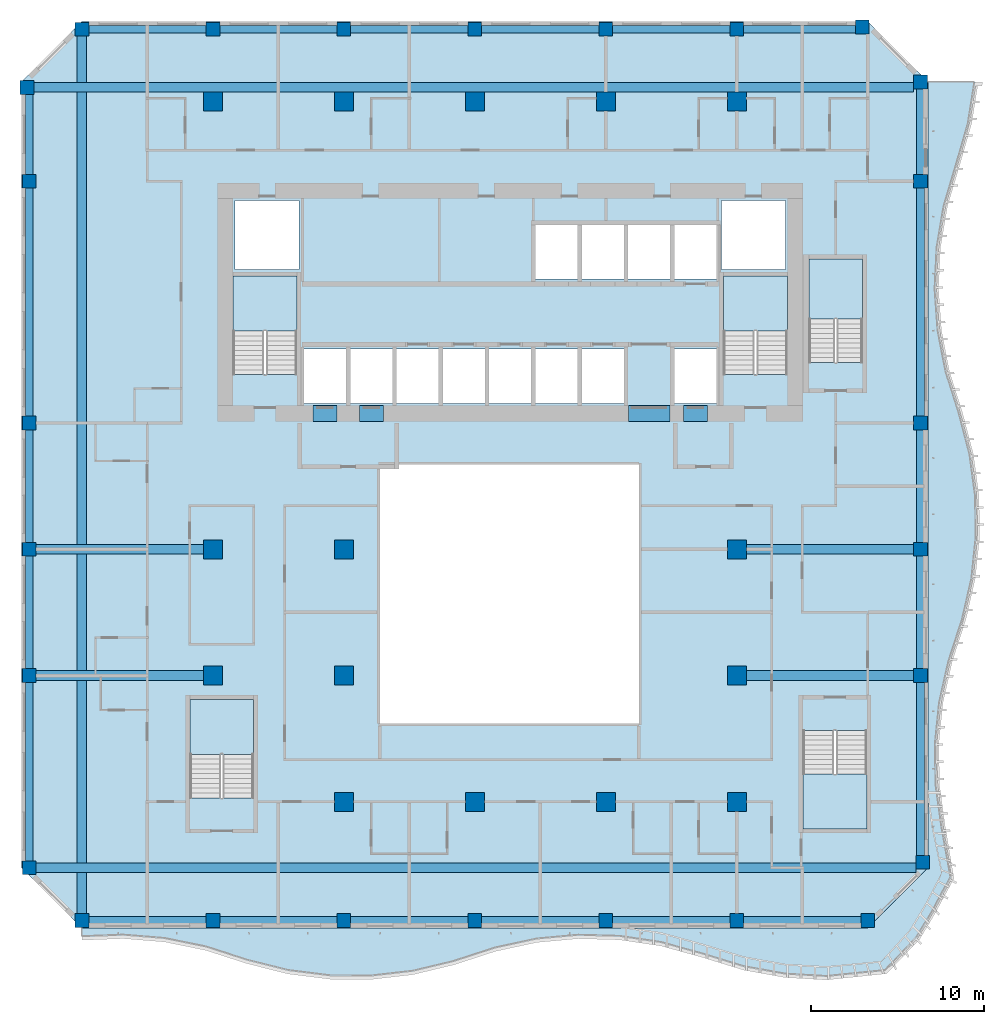
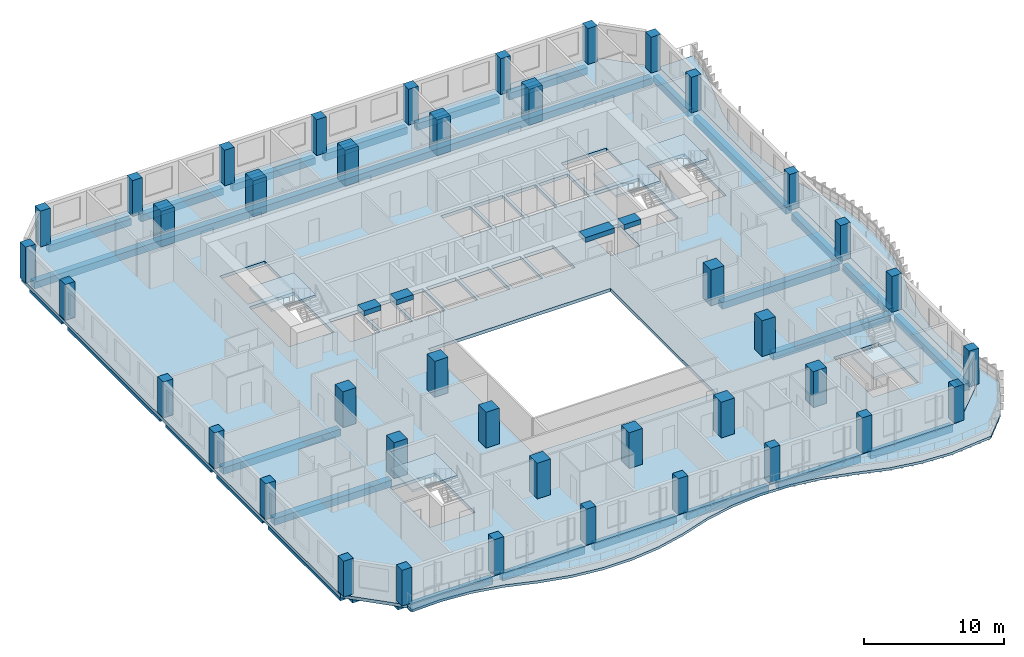
# One storey, part 1 of 20: 41 columns, 33 beams, 7 slabs, 5 elements without a shape of their own.
"""IFC4 building model written with IfcOpenShell, lengths in metres."""

from ifc_helpers import new_model, si_unit, direction, frame, origin, origin_2d, place, context, subcontext, project, spatial, polyline, rectangle, outline, extrude, source, transform, mapped, material, layer, layer_set, material_profile, profile_set, type_object, element, aggregate, save


model = new_model("IFC4")

# Units and contexts
model_context = context("Model", 3, precision=1e-05, world=origin(), true_north=direction((0.0, 1.0)))
body_context = subcontext(model_context, "Body", "Model", "MODEL_VIEW")
ifc_project = project(units=[si_unit("LENGTHUNIT", "METRE"), si_unit("AREAUNIT", "SQUARE_METRE"), si_unit("VOLUMEUNIT", "CUBIC_METRE"), si_unit("PLANEANGLEUNIT", "RADIAN"), si_unit("MASSUNIT", "GRAM", prefix="KILO")], contexts=[model_context])

# Site, building, storey
site_placement = place(None, origin())
site = spatial("IfcSite", under=ifc_project, at=site_placement, CompositionType="ELEMENT")
building_placement = place(site_placement, origin())
building = spatial("IfcBuilding", under=site, at=building_placement, Name="Kilnfold Tower and Market Hall", CompositionType="ELEMENT")
storey_placement = place(building_placement, frame((0.0, 0.0, 157.5)))
storey = spatial("IfcBuildingStorey", under=building, at=storey_placement, Name="L36", CompositionType="ELEMENT", Elevation=157.5)

# Columns
ifc_material_1 = material(Name="Concrete C70", Category="concrete")
ifc_material_profile_1 = material_profile(ifc_material_1, rectangle(XDim=0.800048828125, YDim=0.800048828125, at=origin_2d()), Name="RC 800x800")
ifc_profile_set_1 = profile_set([ifc_material_profile_1], Name="Concrete C70")
column_type_1 = type_object("IfcColumnType", Name="COLUMN 800X800 C70", PredefinedType="COLUMN", material=ifc_profile_set_1)
shared_shape_1 = source(origin(), body_context, "Body", "SweptSolid", [
    extrude(rectangle(XDim=0.800048828125, YDim=0.800048828125, at=origin_2d()), origin(), (0.0, 0.0, 1.0), 3.1201171875),
])
for number, where, z_axis, x_axis, name in (
    (1, (-26.931884765625, 27.431884765625, 0.0), (0.0, 0.0, 1.0), (1.0, 0.0, 0.0), "Column C-B4-1I"),
    (2, (-26.800048828125, -17.75, 0.0), (0.0, 0.0, 1.0), (1.0, 0.0, 0.0), "Column C-B4-1B"),
    (3, (-26.800048828125, -6.625, 0.0), (0.0, 0.0, 1.0), (1.0, 0.0, 0.0), "Column C-B4-1D"),
    (4, (-26.800048828125, 0.6875, 0.0), (0.0, 0.0, 1.0), (1.0, 0.0, 0.0), "Column C-B4-1E"),
    (5, (-26.800048828125, 8.0, 0.0), (0.0, 0.0, 1.0), (1.0, 0.0, 0.0), "Column C-B4-1F"),
    (6, (-26.800048828125, 22.0, 0.0), (0.0, 0.0, 1.0), (1.0, 0.0, 0.0), "Column C-B4-1G"),
    (7, (-23.75, -20.800048828125, 0.0), (0.0, 0.0, 1.0), (1.0, 0.0, 0.0), "Column C-B4-2A"),
    (8, (-23.75, 30.800048828125, 0.0), (0.0, 0.0, 1.0), (1.0, 0.0, 0.0), "Column C-B4-2J"),
    (9, (-16.166748046875, -20.800048828125, 0.0), (0.0, 0.0, 1.0), (1.0, 0.0, 0.0), "Column C-B4-3A"),
    (10, (-16.166748046875, 30.800048828125, 0.0), (0.0, 0.0, 1.0), (1.0, 0.0, 0.0), "Column C-B4-3J"),
    (11, (-8.583251953125, -20.800048828125, 0.0), (0.0, 0.0, 1.0), (1.0, 0.0, 0.0), "Column C-B4-4A"),
    (12, (-8.583251953125, 30.800048828125, 0.0), (0.0, 0.0, 1.0), (1.0, 0.0, 0.0), "Column C-B4-4J"),
    (13, (-1.0, -20.800048828125, 0.0), (0.0, 0.0, 1.0), (1.0, 0.0, 0.0), "Column C-B4-5A"),
    (14, (-1.0, 30.800048828125, 0.0), (0.0, 0.0, 1.0), (1.0, 0.0, 0.0), "Column C-B4-5J"),
    (15, (6.583251953125, -20.800048828125, 0.0), (0.0, 0.0, 1.0), (1.0, 0.0, 0.0), "Column C-B4-6A"),
    (16, (6.583251953125, 30.800048828125, 0.0), (0.0, 0.0, 1.0), (1.0, 0.0, 0.0), "Column C-B4-6J"),
    (17, (14.166748046875, -20.800048828125, 0.0), (0.0, 0.0, 1.0), (1.0, 0.0, 0.0), "Column C-B4-7A"),
    (18, (14.166748046875, 30.800048828125, 0.0), (0.0, 0.0, 1.0), (1.0, 0.0, 0.0), "Column C-B4-7J"),
    (19, (21.431884765625, 30.931884765625, 0.0), (0.0, 0.0, 1.0), (1.0, 0.0, 0.0), "Column C-B4-8J"),
    (20, (21.75, -20.800048828125, 0.0), (0.0, 0.0, 1.0), (1.0, 0.0, 0.0), "Column C-B4-8A"),
    (21, (24.800048828125, -6.625, 0.0), (0.0, 0.0, 1.0), (1.0, 0.0, 0.0), "Column C-B4-9D"),
    (22, (24.800048828125, 0.6875, 0.0), (0.0, 0.0, 1.0), (1.0, 0.0, 0.0), "Column C-B4-9E"),
    (23, (24.800048828125, 8.0, 0.0), (0.0, 0.0, 1.0), (1.0, 0.0, 0.0), "Column C-B4-9F"),
    (24, (24.800048828125, 22.0, 0.0), (0.0, 0.0, 1.0), (1.0, 0.0, 0.0), "Column C-B4-9G"),
    (25, (24.800048828125, 27.75, 0.0), (0.0, 0.0, 1.0), (1.0, 0.0, 0.0), "Column C-B4-9I"),
    (26, (24.931884765625, -17.431884765625, 0.0), (0.0, 0.0, 1.0), (1.0, 0.0, 0.0), "Column C-B4-9B"),
):
    element("IfcColumn", number, at=place(storey_placement, frame(where, z_axis=z_axis, x_axis=x_axis)), inside=storey, type_object=column_type_1, Name=name, PredefinedType="COLUMN", context=body_context, shape_type="MappedRepresentation", body=[
        mapped(shared_shape_1, transform((0.0, 0.0, 0.0))),
    ])
ifc_material_2 = material(Name="Concrete C70", Category="concrete")
ifc_material_profile_2 = material_profile(ifc_material_2, rectangle(XDim=1.10009765625, YDim=1.10009765625, at=origin_2d()), Name="RC 1100x1100")
ifc_profile_set_2 = profile_set([ifc_material_profile_2], Name="Concrete C70")
column_type_2 = type_object("IfcColumnType", Name="COLUMN 1100X1100 C70", PredefinedType="COLUMN", material=ifc_profile_set_2)
shared_shape_2 = source(origin(), body_context, "Body", "SweptSolid", [
    extrude(rectangle(XDim=1.10009765625, YDim=1.10009765625, at=origin_2d()), origin(), (0.0, 0.0, 1.0), 3.1201171875),
])
for number, where, z_axis, x_axis, name in (
    (27, (-16.166748046875, -6.625, 0.0), (0.0, 0.0, 1.0), (1.0, 0.0, 0.0), "Column C-B4-3D"),
    (28, (-16.166748046875, 0.6875, 0.0), (0.0, 0.0, 1.0), (1.0, 0.0, 0.0), "Column C-B4-3E"),
    (29, (-16.166748046875, 26.625, 0.0), (0.0, 0.0, 1.0), (1.0, 0.0, 0.0), "Column C-B4-3H"),
    (30, (-8.583251953125, -13.9375, 0.0), (0.0, 0.0, 1.0), (1.0, 0.0, 0.0), "Column C-B4-4C"),
    (31, (-8.583251953125, -6.625, 0.0), (0.0, 0.0, 1.0), (1.0, 0.0, 0.0), "Column C-B4-4D"),
    (32, (-8.583251953125, 0.6875, 0.0), (0.0, 0.0, 1.0), (1.0, 0.0, 0.0), "Column C-B4-4E"),
    (33, (-8.583251953125, 26.625, 0.0), (0.0, 0.0, 1.0), (1.0, 0.0, 0.0), "Column C-B4-4H"),
    (34, (-1.0, -13.9375, 0.0), (0.0, 0.0, 1.0), (1.0, 0.0, 0.0), "Column C-B4-5C"),
    (35, (-1.0, 26.625, 0.0), (0.0, 0.0, 1.0), (1.0, 0.0, 0.0), "Column C-B4-5H"),
    (36, (6.583251953125, -13.9375, 0.0), (0.0, 0.0, 1.0), (1.0, 0.0, 0.0), "Column C-B4-6C"),
    (37, (6.583251953125, 26.625, 0.0), (0.0, 0.0, 1.0), (1.0, 0.0, 0.0), "Column C-B4-6H"),
    (38, (14.166748046875, -13.9375, 0.0), (0.0, 0.0, 1.0), (1.0, 0.0, 0.0), "Column C-B4-7C"),
    (39, (14.166748046875, -6.625, 0.0), (0.0, 0.0, 1.0), (1.0, 0.0, 0.0), "Column C-B4-7D"),
    (40, (14.166748046875, 0.6875, 0.0), (0.0, 0.0, 1.0), (1.0, 0.0, 0.0), "Column C-B4-7E"),
    (41, (14.166748046875, 26.625, 0.0), (0.0, 0.0, 1.0), (1.0, 0.0, 0.0), "Column C-B4-7H"),
):
    element("IfcColumn", number, at=place(storey_placement, frame(where, z_axis=z_axis, x_axis=x_axis)), inside=storey, type_object=column_type_2, Name=name, PredefinedType="COLUMN", context=body_context, shape_type="MappedRepresentation", body=[
        mapped(shared_shape_2, transform((0.0, 0.0, 0.0))),
    ])

# Beams
ifc_material_3 = material(Name="Concrete C70", Category="concrete")
ifc_material_profile_3 = material_profile(ifc_material_3, rectangle(XDim=0.89990234375, YDim=0.419921875, at=origin_2d()), Name="RC 900x420")
ifc_profile_set_3 = profile_set([ifc_material_profile_3], Name="Concrete C70")
beam_type_1 = type_object("IfcBeamType", Name="COUPLING BEAM 900X420 C70", PredefinedType="BEAM", material=ifc_profile_set_3)
shared_shape_3 = source(origin(), body_context, "Body", "SweptSolid", [
    extrude(rectangle(XDim=0.89990234375, YDim=0.419921875, at=origin_2d()), origin(), (0.0, 0.0, 1.0), 1.400146484375),
])
beam_1_placement = place(storey_placement, frame((-10.3701171875, 8.550048828125, 2.909912109375), z_axis=(1.0, 0.0, 0.0), x_axis=(0.0, 1.0, 0.0)))
element("IfcBeam", 42, at=beam_1_placement, inside=storey, type_object=beam_type_1, Name="Coupling beam CB420-70-CORE.37", PredefinedType="BEAM", context=body_context, shape_type="MappedRepresentation", body=[
    mapped(shared_shape_3, transform((0.0, 0.0, 0.0))),
])
shared_shape_4 = source(origin(), body_context, "Body", "SweptSolid", [
    extrude(rectangle(XDim=0.89990234375, YDim=0.419921875, at=origin_2d()), origin(), (0.0, 0.0, 1.0), 1.39990234375),
])
for number, where, z_axis, x_axis, name in (
    (43, (-7.68994140625, 8.550048828125, 2.909912109375), (1.0, 0.0, 0.0), (0.0, 1.0, 0.0), "Coupling beam CB420-70-CORE.38"),
    (44, (11.070068359375, 8.550048828125, 2.909912109375), (1.0, 0.0, 0.0), (0.0, 1.0, 0.0), "Coupling beam CB420-70-CORE.40"),
):
    element("IfcBeam", number, at=place(storey_placement, frame(where, z_axis=z_axis, x_axis=x_axis)), inside=storey, type_object=beam_type_1, Name=name, PredefinedType="BEAM", context=body_context, shape_type="MappedRepresentation", body=[
        mapped(shared_shape_4, transform((0.0, 0.0, 0.0))),
    ])
shared_shape_5 = source(origin(), body_context, "Body", "SweptSolid", [
    extrude(rectangle(XDim=0.89990234375, YDim=0.419921875, at=origin_2d()), origin(), (0.0, 0.0, 1.0), 2.400146484375),
])
beam_2_placement = place(storey_placement, frame((7.889892578125, 8.550048828125, 2.909912109375), z_axis=(1.0, 0.0, 0.0), x_axis=(0.0, 1.0, 0.0)))
element("IfcBeam", 45, at=beam_2_placement, inside=storey, type_object=beam_type_1, Name="Coupling beam CB420-70-CORE.39", PredefinedType="BEAM", context=body_context, shape_type="MappedRepresentation", body=[
    mapped(shared_shape_5, transform((0.0, 0.0, 0.0))),
])
ifc_material_4 = material(Name="Concrete C45", Category="concrete")
ifc_material_profile_4 = material_profile(ifc_material_4, rectangle(XDim=0.449951171875, YDim=0.60009765625, at=origin_2d()), Name="RC 450x600")
ifc_profile_set_4 = profile_set([ifc_material_profile_4], Name="Concrete C45")
beam_type_2 = type_object("IfcBeamType", Name="EDGE BEAM 450X600 C45", PredefinedType="BEAM", material=ifc_profile_set_4)
shared_shape_6 = source(origin(), body_context, "Body", "SweptSolid", [
    extrude(rectangle(XDim=0.449951171875, YDim=0.60009765625, at=origin_2d()), origin(), (0.0, 0.0, 1.0), 6.783447265625),
])
for number, where, z_axis, x_axis, name in (
    (46, (-23.35009765625, -20.800048828125, -0.580078125), (1.0, 0.0, 0.0), (0.0, 1.0, 0.0), "Beam EB600-B4.76"),
    (47, (-8.183349609375, -20.800048828125, -0.580078125), (1.0, 0.0, 0.0), (0.0, 1.0, 0.0), "Beam EB600-B4.78"),
    (48, (-0.60009765625, -20.800048828125, -0.580078125), (1.0, 0.0, 0.0), (0.0, 1.0, 0.0), "Beam EB600-B4.79"),
    (49, (14.566650390625, -20.800048828125, -0.580078125), (1.0, 0.0, 0.0), (0.0, 1.0, 0.0), "Beam EB600-B4.81"),
    (50, (-23.35009765625, 30.800048828125, -0.580078125), (1.0, 0.0, 0.0), (0.0, 1.0, 0.0), "Beam EB600-B4.88"),
    (51, (-8.183349609375, 30.800048828125, -0.580078125), (1.0, 0.0, 0.0), (0.0, 1.0, 0.0), "Beam EB600-B4.90"),
    (52, (-0.60009765625, 30.800048828125, -0.580078125), (1.0, 0.0, 0.0), (0.0, 1.0, 0.0), "Beam EB600-B4.91"),
):
    element("IfcBeam", number, at=place(storey_placement, frame(where, z_axis=z_axis, x_axis=x_axis)), inside=storey, type_object=beam_type_2, Name=name, PredefinedType="BEAM", context=body_context, shape_type="MappedRepresentation", body=[
        mapped(shared_shape_6, transform((0.0, 0.0, 0.0))),
    ])
shared_shape_7 = source(origin(), body_context, "Body", "SweptSolid", [
    extrude(rectangle(XDim=0.449951171875, YDim=0.60009765625, at=origin_2d()), origin(), (0.0, 0.0, 1.0), 6.783203125),
])
for number, where, z_axis, x_axis, name in (
    (53, (-15.7666015625, -20.800048828125, -0.580078125), (1.0, 0.0, 0.0), (0.0, 1.0, 0.0), "Beam EB600-B4.77"),
    (54, (6.9833984375, -20.800048828125, -0.580078125), (1.0, 0.0, 0.0), (0.0, 1.0, 0.0), "Beam EB600-B4.80"),
    (55, (-15.7666015625, 30.800048828125, -0.580078125), (1.0, 0.0, 0.0), (0.0, 1.0, 0.0), "Beam EB600-B4.89"),
    (56, (6.9833984375, 30.800048828125, -0.580078125), (1.0, 0.0, 0.0), (0.0, 1.0, 0.0), "Beam EB600-B4.92"),
):
    element("IfcBeam", number, at=place(storey_placement, frame(where, z_axis=z_axis, x_axis=x_axis)), inside=storey, type_object=beam_type_2, Name=name, PredefinedType="BEAM", context=body_context, shape_type="MappedRepresentation", body=[
        mapped(shared_shape_7, transform((0.0, 0.0, 0.0))),
    ])
ifc_material_5 = material(Name="Concrete C45", Category="concrete")
ifc_material_profile_5 = material_profile(ifc_material_5, rectangle(XDim=0.550048828125, YDim=0.60009765625, at=origin_2d()), Name="RC 550x600")
ifc_profile_set_5 = profile_set([ifc_material_profile_5], Name="Concrete C45")
beam_type_3 = type_object("IfcBeamType", Name="BEAM 550X600 C45", PredefinedType="BEAM", material=ifc_profile_set_5)
shared_shape_8 = source(origin(), body_context, "Body", "SweptSolid", [
    extrude(rectangle(XDim=0.550048828125, YDim=0.60009765625, at=origin_2d()), origin(), (0.0, 0.0, 1.0), 50.931640625),
])
for number, where, z_axis, x_axis, name in (
    (57, (-26.39990234375, -17.75, -0.580078125), (1.0, 0.0, 0.0), (0.0, 1.0, 0.0), "Beam BB600-B4.82"),
    (58, (-26.53173828125, 27.429931640625, -0.580078125), (1.0, 0.0, 0.0), (0.0, 1.0, 0.0), "Beam BB600-B4.87"),
):
    element("IfcBeam", number, at=place(storey_placement, frame(where, z_axis=z_axis, x_axis=x_axis)), inside=storey, type_object=beam_type_3, Name=name, PredefinedType="BEAM", context=body_context, shape_type="MappedRepresentation", body=[
        mapped(shared_shape_8, transform((0.0, 0.0, 0.0))),
    ])
shared_shape_9 = source(origin(), body_context, "Body", "SweptSolid", [
    extrude(rectangle(XDim=0.550048828125, YDim=0.60009765625, at=origin_2d()), origin(), (0.0, 0.0, 1.0), 9.68310546875),
])
for number, where, z_axis, x_axis, name in (
    (59, (-26.39990234375, -6.6201171875, -0.580078125), (1.0, 0.0, 0.0), (0.0, 1.0, 0.0), "Beam BB600-B4.83"),
    (60, (14.716796875, -6.6201171875, -0.580078125), (1.0, 0.0, 0.0), (0.0, 1.0, 0.0), "Beam BB600-B4.84"),
    (61, (-26.39990234375, 0.68994140625, -0.580078125), (1.0, 0.0, 0.0), (0.0, 1.0, 0.0), "Beam BB600-B4.85"),
    (62, (14.716796875, 0.68994140625, -0.580078125), (1.0, 0.0, 0.0), (0.0, 1.0, 0.0), "Beam BB600-B4.86"),
):
    element("IfcBeam", number, at=place(storey_placement, frame(where, z_axis=z_axis, x_axis=x_axis)), inside=storey, type_object=beam_type_3, Name=name, PredefinedType="BEAM", context=body_context, shape_type="MappedRepresentation", body=[
        mapped(shared_shape_9, transform((0.0, 0.0, 0.0))),
    ])
shared_shape_10 = source(origin(), body_context, "Body", "SweptSolid", [
    extrude(rectangle(XDim=0.449951171875, YDim=0.60009765625, at=origin_2d()), origin(), (0.0, 0.0, 1.0), 6.465087890625),
])
beam_3_placement = place(storey_placement, frame((14.566650390625, 30.800048828125, -0.580078125), z_axis=(1.0, 0.0, 0.0), x_axis=(0.0, 1.0, 0.0)))
element("IfcBeam", 63, at=beam_3_placement, inside=storey, type_object=beam_type_2, Name="Beam EB600-B4.93", PredefinedType="BEAM", context=body_context, shape_type="MappedRepresentation", body=[
    mapped(shared_shape_10, transform((0.0, 0.0, 0.0))),
])
shared_shape_11 = source(origin(), body_context, "Body", "SweptSolid", [
    extrude(rectangle(XDim=0.449951171875, YDim=0.60009765625, at=origin_2d()), origin(), (0.0, 0.0, 1.0), 10.3251953125),
])
beam_4_placement = place(storey_placement, frame((-26.800048828125, -17.35009765625, -0.580078125), z_axis=(0.0, 1.0, 0.0), x_axis=(-1.0, 0.0, 0.0)))
element("IfcBeam", 64, at=beam_4_placement, inside=storey, type_object=beam_type_2, Name="Beam EB600-B4.94", PredefinedType="BEAM", context=body_context, shape_type="MappedRepresentation", body=[
    mapped(shared_shape_11, transform((0.0, 0.0, 0.0))),
])
shared_shape_12 = source(origin(), body_context, "Body", "SweptSolid", [
    extrude(rectangle(XDim=0.449951171875, YDim=0.60009765625, at=origin_2d()), origin(), (0.0, 0.0, 1.0), 6.5126953125),
])
for number, where, z_axis, x_axis, name in (
    (65, (-26.800048828125, -6.22509765625, -0.580078125), (0.0, 1.0, 0.0), (-1.0, 0.0, 0.0), "Beam EB600-B4.95"),
    (66, (-26.800048828125, 1.08740234375, -0.580078125), (0.0, 1.0, 0.0), (-1.0, 0.0, 0.0), "Beam EB600-B4.96"),
    (67, (24.800048828125, -6.22509765625, -0.580078125), (0.0, 1.0, 0.0), (-1.0, 0.0, 0.0), "Beam EB600-B4.101"),
    (68, (24.800048828125, 1.08740234375, -0.580078125), (0.0, 1.0, 0.0), (-1.0, 0.0, 0.0), "Beam EB600-B4.102"),
):
    element("IfcBeam", number, at=place(storey_placement, frame(where, z_axis=z_axis, x_axis=x_axis)), inside=storey, type_object=beam_type_2, Name=name, PredefinedType="BEAM", context=body_context, shape_type="MappedRepresentation", body=[
        mapped(shared_shape_12, transform((0.0, 0.0, 0.0))),
    ])
shared_shape_13 = source(origin(), body_context, "Body", "SweptSolid", [
    extrude(rectangle(XDim=0.449951171875, YDim=0.60009765625, at=origin_2d()), origin(), (0.0, 0.0, 1.0), 13.2001953125),
])
for number, where, z_axis, x_axis, name in (
    (69, (-26.800048828125, 8.39990234375, -0.580078125), (0.0, 1.0, 0.0), (-1.0, 0.0, 0.0), "Beam EB600-B4.97"),
    (70, (24.800048828125, 8.39990234375, -0.580078125), (0.0, 1.0, 0.0), (-1.0, 0.0, 0.0), "Beam EB600-B4.103"),
):
    element("IfcBeam", number, at=place(storey_placement, frame(where, z_axis=z_axis, x_axis=x_axis)), inside=storey, type_object=beam_type_2, Name=name, PredefinedType="BEAM", context=body_context, shape_type="MappedRepresentation", body=[
        mapped(shared_shape_13, transform((0.0, 0.0, 0.0))),
    ])
shared_shape_14 = source(origin(), body_context, "Body", "SweptSolid", [
    extrude(rectangle(XDim=0.449951171875, YDim=0.60009765625, at=origin_2d()), origin(), (0.0, 0.0, 1.0), 4.6318359375),
])
beam_5_placement = place(storey_placement, frame((-26.800048828125, 22.39990234375, -0.580078125), z_axis=(0.0, 1.0, 0.0), x_axis=(-1.0, 0.0, 0.0)))
element("IfcBeam", 71, at=beam_5_placement, inside=storey, type_object=beam_type_2, Name="Beam EB600-B4.98", PredefinedType="BEAM", context=body_context, shape_type="MappedRepresentation", body=[
    mapped(shared_shape_14, transform((0.0, 0.0, 0.0))),
])
shared_shape_15 = source(origin(), body_context, "Body", "SweptSolid", [
    extrude(rectangle(XDim=0.550048828125, YDim=0.60009765625, at=origin_2d()), origin(), (0.0, 0.0, 1.0), 50.7998046875),
])
beam_6_placement = place(storey_placement, frame((-23.75, -20.39990234375, -0.580078125), z_axis=(0.0, 1.0, 0.0), x_axis=(-1.0, 0.0, 0.0)))
element("IfcBeam", 72, at=beam_6_placement, inside=storey, type_object=beam_type_3, Name="Beam BB600-B4.99", PredefinedType="BEAM", context=body_context, shape_type="MappedRepresentation", body=[
    mapped(shared_shape_15, transform((0.0, 0.0, 0.0))),
])
shared_shape_16 = source(origin(), body_context, "Body", "SweptSolid", [
    extrude(rectangle(XDim=0.449951171875, YDim=0.60009765625, at=origin_2d()), origin(), (0.0, 0.0, 1.0), 10.0068359375),
])
beam_7_placement = place(storey_placement, frame((24.800048828125, -17.03173828125, -0.580078125), z_axis=(0.0, 1.0, 0.0), x_axis=(-1.0, 0.0, 0.0)))
element("IfcBeam", 73, at=beam_7_placement, inside=storey, type_object=beam_type_2, Name="Beam EB600-B4.100", PredefinedType="BEAM", context=body_context, shape_type="MappedRepresentation", body=[
    mapped(shared_shape_16, transform((0.0, 0.0, 0.0))),
])
shared_shape_17 = source(origin(), body_context, "Body", "SweptSolid", [
    extrude(rectangle(XDim=0.449951171875, YDim=0.60009765625, at=origin_2d()), origin(), (0.0, 0.0, 1.0), 4.9501953125),
])
beam_8_placement = place(storey_placement, frame((24.800048828125, 22.39990234375, -0.580078125), z_axis=(0.0, 1.0, 0.0), x_axis=(-1.0, 0.0, 0.0)))
element("IfcBeam", 74, at=beam_8_placement, inside=storey, type_object=beam_type_2, Name="Beam EB600-B4.104", PredefinedType="BEAM", context=body_context, shape_type="MappedRepresentation", body=[
    mapped(shared_shape_17, transform((0.0, 0.0, 0.0))),
])

# Slabs
ifc_material_6 = material(Name="Concrete C45", Category="concrete")
ifc_layer_1 = layer(ifc_material_6, 0.280029296875)
ifc_layer_set_1 = layer_set([ifc_layer_1], Name="Concrete C45")
slab_type_1 = type_object("IfcSlabType", Name="FLOOR SLAB 280", PredefinedType="FLOOR", material=ifc_layer_set_1)
shared_shape_18 = source(origin(), body_context, "Body", "SweptSolid", [
    extrude(outline(polyline([(-23.75, -21.25), (21.75, -21.25), (25.25, -17.75), (25.25, 27.75), (21.75, 31.25), (-23.75, 31.25), (-27.25, 27.75), (-27.25, -17.75), (-23.75, -21.25)]), holes=[polyline([(-13.800537109375, -13.699462890625), (-17.49951171875, -13.699462890625), (-17.49951171875, -8.00048828125), (-13.800537109375, -8.00048828125), (-13.800537109375, -13.699462890625)]), polyline([(-11.300537109375, 10.800537109375), (-14.99951171875, 10.800537109375), (-14.99951171875, 16.49951171875), (-11.300537109375, 16.49951171875), (-11.300537109375, 10.800537109375)]), polyline([(-14.875, 16.875), (-14.875, 20.875), (-11.175048828125, 20.875), (-11.175048828125, 16.875), (-14.875, 16.875)]), polyline([(-8.455078125, 9.125), (-10.885009765625, 9.125), (-10.885009765625, 12.27490234375), (-8.455078125, 12.27490234375), (-8.455078125, 9.125)]), polyline([(-8.205078125, 9.125), (-8.205078125, 12.27490234375), (-5.77490234375, 12.27490234375), (-5.77490234375, 9.125), (-8.205078125, 9.125)]), polyline([(8.5, -9.39990234375), (-6.5, -9.39990234375), (-6.5, 5.60009765625), (8.5, 5.60009765625), (8.5, -9.39990234375)]), polyline([(-5.52490234375, 9.125), (-5.52490234375, 12.27490234375), (-3.094970703125, 12.27490234375), (-3.094970703125, 9.125), (-5.52490234375, 9.125)]), polyline([(-0.4150390625, 9.125), (-2.844970703125, 9.125), (-2.844970703125, 12.27490234375), (-0.4150390625, 12.27490234375), (-0.4150390625, 9.125)]), polyline([(2.264892578125, 9.125), (-0.1650390625, 9.125), (-0.1650390625, 12.27490234375), (2.264892578125, 12.27490234375), (2.264892578125, 9.125)]), polyline([(4.945068359375, 9.125), (2.514892578125, 9.125), (2.514892578125, 12.27490234375), (4.945068359375, 12.27490234375), (4.945068359375, 9.125)]), polyline([(2.514892578125, 16.324951171875), (2.514892578125, 19.47509765625), (4.945068359375, 19.47509765625), (4.945068359375, 16.324951171875), (2.514892578125, 16.324951171875)]), polyline([(7.625, 9.125), (5.195068359375, 9.125), (5.195068359375, 12.27490234375), (7.625, 12.27490234375), (7.625, 9.125)]), polyline([(7.625, 16.324951171875), (5.195068359375, 16.324951171875), (5.195068359375, 19.47509765625), (7.625, 19.47509765625), (7.625, 16.324951171875)]), polyline([(10.304931640625, 16.324951171875), (7.875, 16.324951171875), (7.875, 19.47509765625), (10.304931640625, 19.47509765625), (10.304931640625, 16.324951171875)]), polyline([(10.554931640625, 9.125), (10.554931640625, 12.27490234375), (12.985107421875, 12.27490234375), (12.985107421875, 9.125), (10.554931640625, 9.125)]), polyline([(10.554931640625, 16.324951171875), (10.554931640625, 19.47509765625), (12.985107421875, 19.47509765625), (12.985107421875, 16.324951171875), (10.554931640625, 16.324951171875)]), polyline([(13.27490234375, 16.875), (13.27490234375, 20.875), (16.97509765625, 20.875), (16.97509765625, 16.875), (13.27490234375, 16.875)]), polyline([(13.400390625, 10.800537109375), (13.400390625, 16.49951171875), (17.099609375, 16.49951171875), (17.099609375, 10.800537109375), (13.400390625, 10.800537109375)]), polyline([(18.00048828125, -9.800537109375), (21.699462890625, -9.800537109375), (21.699462890625, -15.49951171875), (18.00048828125, -15.49951171875), (18.00048828125, -9.800537109375)]), polyline([(21.449462890625, 11.50048828125), (18.3505859375, 11.50048828125), (18.3505859375, 17.49951171875), (21.449462890625, 17.49951171875), (21.449462890625, 11.50048828125)])]), origin(), (0.0, 0.0, 1.0), 0.280029296875),
])
slab_1_placement = place(storey_placement, frame((0.0, 0.0, -0.280029296875)))
element("IfcSlab", 75, at=slab_1_placement, inside=storey, type_object=slab_type_1, Name="Floor slab L36", PredefinedType="FLOOR", context=body_context, shape_type="MappedRepresentation", body=[
    mapped(shared_shape_18, transform((0.0, 0.0, 0.0))),
])
ifc_material_7 = material(Name="Concrete C40/50", Category="concrete")
ifc_layer_2 = layer(ifc_material_7, 0.219970703125)
ifc_layer_set_2 = layer_set([ifc_layer_2], Name="Concrete C40/50")
slab_type_2 = type_object("IfcSlabType", Name="BALCONY SLAB 220", PredefinedType="FLOOR", material=ifc_layer_set_2)
shared_shape_19 = source(origin(), body_context, "Body", "SweptSolid", [
    extrude(outline(polyline([(-23.75, -21.25), (21.75, -21.25), (25.25, -17.75), (25.25, 27.75), (28.15478515625, 27.75), (27.774658203125, 25.355224609375), (27.087890625, 22.96044921875), (26.373291015625, 20.56591796875), (25.967041015625, 18.171142578125), (25.851318359375, 15.7763671875), (26.020751953125, 13.381591796875), (26.483154296875, 10.98681640625), (27.241455078125, 8.592041015625), (27.86865234375, 6.197509765625), (28.193603515625, 3.802490234375), (28.23046875, 1.407958984375), (27.9814453125, -0.98681640625), (27.43505859375, -3.381591796875), (26.653564453125, -5.7763671875), (26.1123046875, -8.171142578125), (25.867919921875, -10.56591796875), (25.909423828125, -12.96044921875), (26.239013671875, -15.355224609375), (26.747802734375, -18.370361328125), (25.619140625, -20.452392578125), (24.74462890625, -21.9111328125), (22.84228515625, -23.886962890625), (19.355224609375, -24.25), (16.96044921875, -24.1103515625), (14.56591796875, -23.679443359375), (12.171142578125, -22.942626953125), (9.7763671875, -22.282470703125), (7.381591796875, -21.927001953125), (4.98681640625, -21.860107421875), (2.592041015625, -22.078857421875), (0.197509765625, -22.59326171875), (-2.197509765625, -23.37158203125), (-4.592041015625, -23.9453125), (-6.98681640625, -24.22021484375), (-9.381591796875, -24.208251953125), (-11.7763671875, -23.9091796875), (-14.171142578125, -23.309814453125), (-16.56591796875, -22.538818359375), (-18.96044921875, -22.0498046875), (-21.355224609375, -21.854736328125), (-23.75, -21.9453125), (-23.75, -21.25)])), origin(), (0.0, 0.0, 1.0), 0.219970703125),
])
slab_2_placement = place(storey_placement, frame((0.0, 0.0, -0.219970703125)))
element("IfcSlab", 76, at=slab_2_placement, inside=storey, type_object=slab_type_2, Name="Balcony slab L36", PredefinedType="FLOOR", context=body_context, shape_type="MappedRepresentation", body=[
    mapped(shared_shape_19, transform((0.0, 0.0, 0.0))),
])

# Stair, slab
ifc_material_8 = material(Name="Concrete C40/50", Category="concrete")
stair_type_1 = type_object("IfcStairType", Name="CORE STAIR 1800", PredefinedType="HALF_TURN_STAIR", material=ifc_material_8)
stair_1_placement = place(storey_placement, origin())
stair_1 = element("IfcStair", 77, at=stair_1_placement, inside=storey, type_object=stair_type_1, Name="L36 ST1", PredefinedType="HALF_TURN_STAIR")
ifc_material_9 = material(Name="Concrete C40/50", Category="concrete")
ifc_layer_3 = layer(ifc_material_9, 0.199951171875)
ifc_layer_set_3 = layer_set([ifc_layer_3], Name="Concrete C40/50")
slab_type_3 = type_object("IfcSlabType", Name="CORE STAIR LANDING 200", PredefinedType="LANDING", material=ifc_layer_set_3)
shared_shape_20 = source(origin(), body_context, "Body", "SweptSolid", [
    extrude(outline(polyline([(-11.300048828125, 13.320068359375), (-11.300048828125, 16.5), (-15.0, 16.5), (-15.0, 13.320068359375), (-11.300048828125, 13.320068359375)])), origin(), (0.0, 0.0, 1.0), 0.199951171875),
])
slab_3_placement = place(storey_placement, frame((0.0, 0.0, 1.5)))
slab_3 = element("IfcSlab", 78, at=slab_3_placement, type_object=slab_type_3, Name="ST1 landing 1", PredefinedType="LANDING", context=body_context, shape_type="MappedRepresentation", body=[
    mapped(shared_shape_20, transform((0.0, 0.0, 0.0))),
])
aggregate(stair_1, [slab_3])

stair_2_placement = place(storey_placement, origin())
stair_2 = element("IfcStair", 79, at=stair_2_placement, inside=storey, type_object=stair_type_1, Name="L36 ST2", PredefinedType="HALF_TURN_STAIR")
shared_shape_21 = source(origin(), body_context, "Body", "SweptSolid", [
    extrude(outline(polyline([(17.10009765625, 13.320068359375), (17.10009765625, 16.5), (13.39990234375, 16.5), (13.39990234375, 13.320068359375), (17.10009765625, 13.320068359375)])), origin(), (0.0, 0.0, 1.0), 0.199951171875),
])
slab_4_placement = place(storey_placement, frame((0.0, 0.0, 1.5)))
slab_4 = element("IfcSlab", 80, at=slab_4_placement, type_object=slab_type_3, Name="ST2 landing 1", PredefinedType="LANDING", context=body_context, shape_type="MappedRepresentation", body=[
    mapped(shared_shape_21, transform((0.0, 0.0, 0.0))),
])
aggregate(stair_2, [slab_4])

stair_3_placement = place(storey_placement, origin())
stair_3 = element("IfcStair", 81, at=stair_3_placement, inside=storey, type_object=stair_type_1, Name="L36 ST3", PredefinedType="HALF_TURN_STAIR")
shared_shape_22 = source(origin(), body_context, "Body", "SweptSolid", [
    extrude(outline(polyline([(-13.800048828125, -11.179931640625), (-13.800048828125, -8.0), (-17.5, -8.0), (-17.5, -11.179931640625), (-13.800048828125, -11.179931640625)])), origin(), (0.0, 0.0, 1.0), 0.199951171875),
])
slab_5_placement = place(storey_placement, frame((0.0, 0.0, 1.5)))
slab_5 = element("IfcSlab", 82, at=slab_5_placement, type_object=slab_type_3, Name="ST3 landing 1", PredefinedType="LANDING", context=body_context, shape_type="MappedRepresentation", body=[
    mapped(shared_shape_22, transform((0.0, 0.0, 0.0))),
])
aggregate(stair_3, [slab_5])

stair_4_placement = place(storey_placement, origin())
stair_4 = element("IfcStair", 83, at=stair_4_placement, inside=storey, type_object=stair_type_1, Name="L36 ST4", PredefinedType="HALF_TURN_STAIR")
shared_shape_23 = source(origin(), body_context, "Body", "SweptSolid", [
    extrude(outline(polyline([(18.0, -12.320068359375), (18.0, -15.5), (21.699951171875, -15.5), (21.699951171875, -12.320068359375), (18.0, -12.320068359375)])), origin(), (0.0, 0.0, 1.0), 0.199951171875),
])
slab_6_placement = place(storey_placement, frame((0.0, 0.0, 1.5)))
slab_6 = element("IfcSlab", 84, at=slab_6_placement, type_object=slab_type_3, Name="ST4 landing 1", PredefinedType="LANDING", context=body_context, shape_type="MappedRepresentation", body=[
    mapped(shared_shape_23, transform((0.0, 0.0, 0.0))),
])
aggregate(stair_4, [slab_6])

ifc_material_10 = material(Name="Concrete C40/50", Category="concrete")
stair_type_2 = type_object("IfcStairType", Name="CORE STAIR 1500", PredefinedType="HALF_TURN_STAIR", material=ifc_material_10)
stair_5_placement = place(storey_placement, origin())
stair_5 = element("IfcStair", 85, at=stair_5_placement, inside=storey, type_object=stair_type_2, Name="L36 ST5", PredefinedType="HALF_TURN_STAIR")
shared_shape_24 = source(origin(), body_context, "Body", "SweptSolid", [
    extrude(outline(polyline([(21.449951171875, 14.02001953125), (21.449951171875, 17.5), (18.35009765625, 17.5), (18.35009765625, 14.02001953125), (21.449951171875, 14.02001953125)])), origin(), (0.0, 0.0, 1.0), 0.199951171875),
])
slab_7_placement = place(storey_placement, frame((0.0, 0.0, 1.5)))
slab_7 = element("IfcSlab", 86, at=slab_7_placement, type_object=slab_type_3, Name="ST5 landing 1", PredefinedType="LANDING", context=body_context, shape_type="MappedRepresentation", body=[
    mapped(shared_shape_24, transform((0.0, 0.0, 0.0))),
])
aggregate(stair_5, [slab_7])

save(model, "model.ifc")
